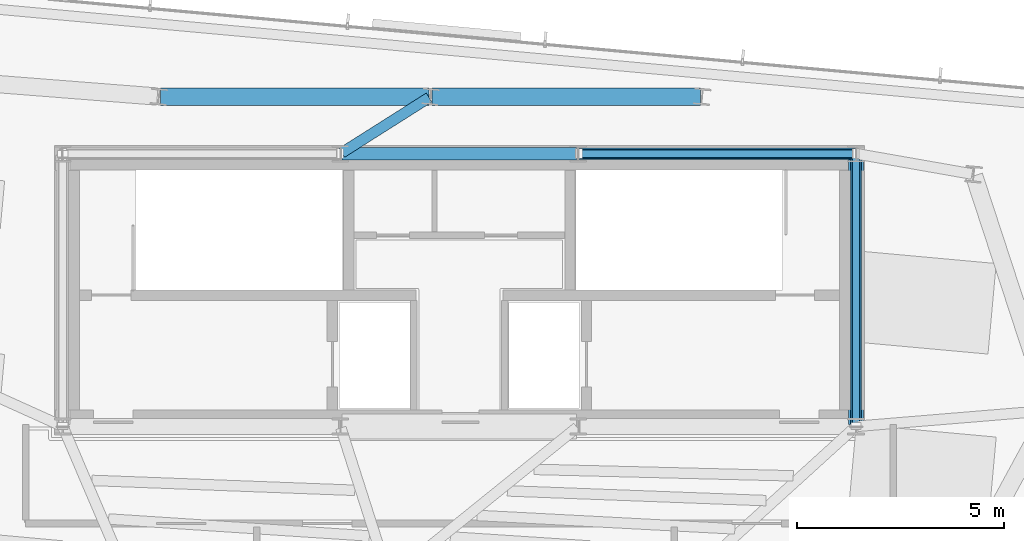
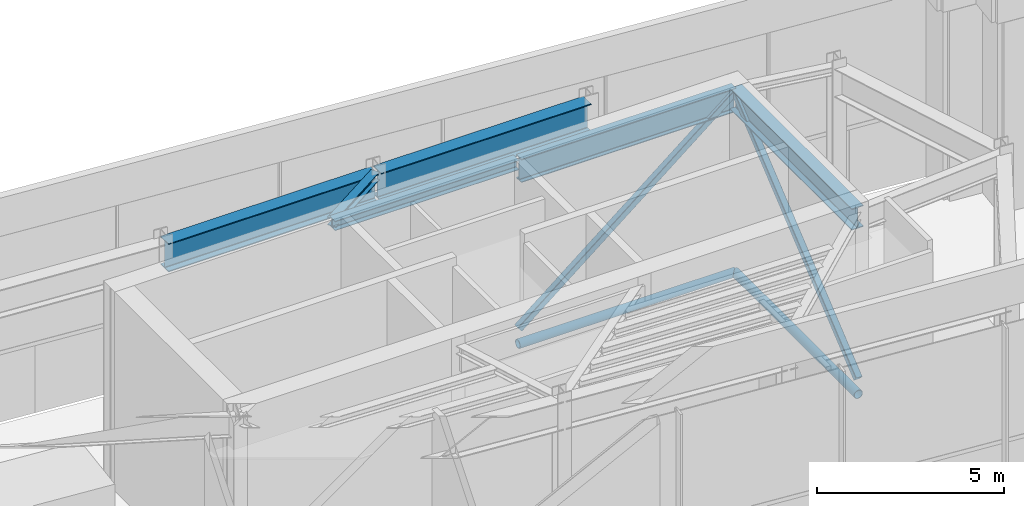
# One storey, part 8 of 18: 6 beams, 4 members.
"""IFC4 building model written with IfcOpenShell, lengths in metres."""

from ifc_helpers import new_model, si_unit, direction, frame, origin, origin_2d, place, context, subcontext, project, spatial, hollow_rectangle, hollow_circle, i_section, extrude, source, transform, mapped, material, material_profile, profile_set, type_object, type_shapes, element, save


model = new_model("IFC4")

# Units and contexts
model_context = context("Model", 3, precision=1e-05, world=origin(), true_north=direction((0.0, 1.0)))
body_context = subcontext(model_context, "Body", "Model", "MODEL_VIEW")
ifc_project = project(units=[si_unit("LENGTHUNIT", "METRE"), si_unit("AREAUNIT", "SQUARE_METRE"), si_unit("VOLUMEUNIT", "CUBIC_METRE"), si_unit("PLANEANGLEUNIT", "RADIAN"), si_unit("MASSUNIT", "GRAM", prefix="KILO")], contexts=[model_context])

# Site, building, storey
site_placement = place(None, origin())
site = spatial("IfcSite", under=ifc_project, at=site_placement, CompositionType="ELEMENT")
building_placement = place(site_placement, origin())
building = spatial("IfcBuilding", under=site, at=building_placement, Name="Astriad Promenade Condominiums", CompositionType="ELEMENT")
storey_placement = place(building_placement, frame((0.0, 0.0, 290.300048828125)))
storey = spatial("IfcBuildingStorey", under=building, at=storey_placement, Name="L80", CompositionType="ELEMENT", Elevation=290.300048828125)

# Beams
ifc_material_1 = material(Name="Steel ASTM A992 Grade 50", Category="steel")
ifc_material_profile_1 = material_profile(ifc_material_1, i_section(OverallWidth=0.267822265625, OverallDepth=0.76953125, WebThickness=0.015625, FlangeThickness=0.025390625, FilletRadius=0.021484375, at=origin_2d()), Name="W30X132")
ifc_profile_set_1 = profile_set([ifc_material_profile_1], Name="Steel ASTM A992 Grade 50")
beam_type_1 = type_object("IfcBeamType", Name="STEEL FLOOR GIRDER W30X132", PredefinedType="BEAM", material=ifc_profile_set_1)
shared_shape_1 = source(origin(), body_context, "Body", "SweptSolid", [
    extrude(i_section(OverallWidth=0.267822265625, OverallDepth=0.76953125, WebThickness=0.015625, FlangeThickness=0.025390625, FilletRadius=0.021484375, at=origin_2d()), origin(), (0.0, 0.0, 1.0), 6.64013671875),
])
type_shapes(beam_type_1, [shared_shape_1])
beam_1_placement = place(storey_placement, frame((38.919921875, 24.0, 5.835205078125), z_axis=(1.0, 0.0, 0.0), x_axis=(0.0, 1.0, 0.0)))
element("IfcBeam", 1, at=beam_1_placement, inside=storey, type_object=beam_type_1, Name="Core Ring Beam CG-N3-L80", PredefinedType="BEAM", context=body_context, shape_type="MappedRepresentation", body=[
    mapped(shared_shape_1, transform((0.0, 0.0, 0.0), scale=1.0)),
])
ifc_material_profile_2 = material_profile(ifc_material_1, i_section(OverallWidth=0.3046875, OverallDepth=0.307861328125, WebThickness=0.010009765625, FlangeThickness=0.015380859375, FilletRadius=0.01513671875, at=origin_2d()), Name="W12X65")
ifc_profile_set_2 = profile_set([ifc_material_profile_2], Name="Steel ASTM A992 Grade 50")
beam_type_2 = type_object("IfcBeamType", Name="STEEL OPENING LINTEL W12X65", PredefinedType="LINTEL", material=ifc_profile_set_2)
shared_shape_2 = source(origin(), body_context, "Body", "SweptSolid", [
    extrude(i_section(OverallWidth=0.3046875, OverallDepth=0.307861328125, WebThickness=0.010009765625, FlangeThickness=0.015380859375, FilletRadius=0.01513671875, at=origin_2d()), origin(), (0.0, 0.0, 1.0), 5.68017578125),
])
type_shapes(beam_type_2, [shared_shape_2])
beam_2_placement = place(storey_placement, frame((33.159912109375, 24.0, 6.066162109375), z_axis=(1.0, 0.0, 0.0), x_axis=(0.0, 1.0, 0.0)))
element("IfcBeam", 2, at=beam_2_placement, inside=storey, type_object=beam_type_2, Name="Core Ring Beam CG-N2-L80", PredefinedType="LINTEL", context=body_context, shape_type="MappedRepresentation", body=[
    mapped(shared_shape_2, transform((0.0, 0.0, 0.0), scale=1.0)),
])
ifc_material_profile_3 = material_profile(ifc_material_1, i_section(OverallWidth=0.35791015625, OverallDepth=0.706298828125, WebThickness=0.018310546875, FlangeThickness=0.0302734375, FilletRadius=0.020263671875, at=origin_2d()), Name="W27X178")
ifc_profile_set_3 = profile_set([ifc_material_profile_3], Name="Steel ASTM A992 Grade 50")
beam_type_3 = type_object("IfcBeamType", Name="STEEL FLOOR GIRDER W27X178", PredefinedType="BEAM", material=ifc_profile_set_3)
shared_shape_3 = source(origin(), body_context, "Body", "SweptSolid", [
    extrude(i_section(OverallWidth=0.35791015625, OverallDepth=0.706298828125, WebThickness=0.018310546875, FlangeThickness=0.0302734375, FilletRadius=0.020263671875, at=origin_2d()), origin(), (0.0, 0.0, 1.0), 6.52001953125),
])
type_shapes(beam_type_3, [shared_shape_3])
beam_3_placement = place(storey_placement, frame((45.60009765625, 17.43994140625, 5.86669921875), z_axis=(0.0, 1.0, 0.0), x_axis=(-1.0, 0.0, 0.0)))
element("IfcBeam", 3, at=beam_3_placement, inside=storey, type_object=beam_type_3, Name="Core Ring Beam CG-E1-L80", PredefinedType="BEAM", context=body_context, shape_type="MappedRepresentation", body=[
    mapped(shared_shape_3, transform((0.0, 0.0, 0.0), scale=1.0)),
])
ifc_material_profile_4 = material_profile(ifc_material_1, i_section(OverallWidth=0.25732421875, OverallDepth=0.26416015625, WebThickness=0.011962890625, FlangeThickness=0.01953125, FilletRadius=0.0126953125, at=origin_2d()), Name="W10X68")
ifc_profile_set_4 = profile_set([ifc_material_profile_4], Name="Steel ASTM A992 Grade 50")
beam_type_4 = type_object("IfcBeamType", Name="STEEL CANOPY BEAM W10X68", PredefinedType="BEAM", material=ifc_profile_set_4)
shared_shape_4 = source(origin(), body_context, "Body", "SweptSolid", [
    extrude(i_section(OverallWidth=0.25732421875, OverallDepth=0.26416015625, WebThickness=0.011962890625, FlangeThickness=0.01953125, FilletRadius=0.0126953125, at=origin_2d()), origin(), (0.0, 0.0, 1.0), 2.50048828125),
])
type_shapes(beam_type_4, [shared_shape_4])
beam_4_placement = place(storey_placement, frame((35.2666015625, 25.358642578125, 6.087890625), z_axis=(-0.844989692299, -0.534782591255, 0.0), x_axis=(0.534782591255, -0.844989692299, 0.0)))
element("IfcBeam", 4, at=beam_4_placement, inside=storey, type_object=beam_type_4, Name="Primary Floor Girder PG-NC-L80", PredefinedType="BEAM", context=body_context, shape_type="MappedRepresentation", body=[
    mapped(shared_shape_4, transform((0.0, 0.0, 0.0), scale=1.0)),
])
ifc_material_profile_5 = material_profile(ifc_material_1, i_section(OverallWidth=0.418212890625, OverallDepth=0.926513671875, WebThickness=0.019287109375, FlangeThickness=0.031982421875, FilletRadius=0.024169921875, at=origin_2d()), Name="W36X231")
ifc_profile_set_5 = profile_set([ifc_material_profile_5], Name="Steel ASTM A992 Grade 50")
beam_type_5 = type_object("IfcBeamType", Name="STEEL CROWN RING BEAM W36X231", PredefinedType="BEAM", material=ifc_profile_set_5)
shared_shape_5 = source(origin(), body_context, "Body", "SweptSolid", [
    extrude(i_section(OverallWidth=0.418212890625, OverallDepth=0.926513671875, WebThickness=0.019287109375, FlangeThickness=0.031982421875, FilletRadius=0.024169921875, at=origin_2d()), origin(), (0.0, 0.0, 1.0), 6.49267578125),
])
type_shapes(beam_type_5, [shared_shape_5])
for number, where, z_axis, x_axis, name in (
    (5, (41.8330078125, 25.3798828125, 5.756591796875), (-1.0, 0.0, 0.0), (0.0, -1.0, 0.0), "Perimeter Spandrel Beam SP-N3-L80"),
    (6, (35.26025390625, 25.3798828125, 5.756591796875), (-1.0, 0.0, 0.0), (0.0, -1.0, 0.0), "Perimeter Spandrel Beam SP-N2-L80"),
):
    element("IfcBeam", number, at=place(storey_placement, frame(where, z_axis=z_axis, x_axis=x_axis)), inside=storey, type_object=beam_type_5, Name=name, PredefinedType="BEAM", context=body_context, shape_type="MappedRepresentation", body=[
        mapped(shared_shape_5, transform((0.0, 0.0, 0.0), scale=1.0)),
    ])

# Members
ifc_material_2 = material(Name="Steel ASTM A500 Grade C", Category="steel")
ifc_material_profile_6 = material_profile(ifc_material_2, hollow_circle(Radius=0.136474609375, WallThickness=0.01171875, at=origin_2d()), Name="HSS273.1X12.7")
ifc_profile_set_6 = profile_set([ifc_material_profile_6], Name="Steel ASTM A500 Grade C")
member_type_1 = type_object("IfcMemberType", Name="HSS SKY GARDEN CANOPY STRUT D273", PredefinedType="STRUT", material=ifc_profile_set_6)
shared_shape_6 = source(origin(), body_context, "Body", "SweptSolid", [
    extrude(hollow_circle(Radius=0.136474609375, WallThickness=0.01171875, at=origin_2d()), origin(), (0.0, 0.0, 1.0), 6.7099609375),
])
member_1_placement = place(storey_placement, frame((38.885009765625, 24.0, 0.119873046875), z_axis=(1.0, 0.0, 0.0), x_axis=(0.0, 1.0, 0.0)))
element("IfcMember", 7, at=member_1_placement, inside=storey, type_object=member_type_1, Name="Crown Ring Interior Chord HCHORD-L80-02", PredefinedType="STRUT", context=body_context, shape_type="MappedRepresentation", body=[
    mapped(shared_shape_6, transform((0.0, 0.0, 0.0), scale=1.0)),
])
ifc_material_profile_7 = material_profile(ifc_material_2, hollow_rectangle(XDim=0.203125, YDim=0.203125, WallThickness=0.01171875, InnerFilletRadius=0.01171875, OuterFilletRadius=0.023681640625, at=origin_2d()), Name="HSS203X203X12.7")
ifc_profile_set_7 = profile_set([ifc_material_profile_7], Name="Steel ASTM A500 Grade C")
member_type_2 = type_object("IfcMemberType", Name="HSS CANOPY OUTRIGGER STRUT 203X203", PredefinedType="STRUT", material=ifc_profile_set_7)
shared_shape_7 = source(origin(), body_context, "Body", "SweptSolid", [
    extrude(hollow_rectangle(XDim=0.203125, YDim=0.203125, WallThickness=0.01171875, InnerFilletRadius=0.01171875, OuterFilletRadius=0.023681640625, at=origin_2d()), origin(), (0.0, 0.0, 1.0), 8.602294921875),
])
member_2_placement = place(storey_placement, frame((38.8994140625, 24.0, 0.6357421875), z_axis=(0.776681444214, 0.0, 0.629893589596), x_axis=(0.0, 1.0, 0.0)))
element("IfcMember", 8, at=member_2_placement, inside=storey, type_object=member_type_2, Name="Crown Ring Interior Brace HBRACE-L80-02", PredefinedType="STRUT", context=body_context, shape_type="MappedRepresentation", body=[
    mapped(shared_shape_7, transform((0.0, 0.0, 0.0), scale=1.0)),
])
shared_shape_8 = source(origin(), body_context, "Body", "SweptSolid", [
    extrude(hollow_circle(Radius=0.136474609375, WallThickness=0.01171875, at=origin_2d()), origin(), (0.0, 0.0, 1.0), 6.590087890625),
])
type_shapes(member_type_1, [shared_shape_6, shared_shape_8])
member_3_placement = place(storey_placement, frame((45.60009765625, 17.405029296875, 0.119873046875), z_axis=(0.0, 1.0, 0.0), x_axis=(-1.0, 0.0, 0.0)))
element("IfcMember", 9, at=member_3_placement, inside=storey, type_object=member_type_1, Name="Crown Ring Interior Chord HCHORD-L80-04", PredefinedType="STRUT", context=body_context, shape_type="MappedRepresentation", body=[
    mapped(shared_shape_8, transform((0.0, 0.0, 0.0), scale=1.0)),
])
shared_shape_9 = source(origin(), body_context, "Body", "SweptSolid", [
    extrude(hollow_rectangle(XDim=0.203125, YDim=0.203125, WallThickness=0.01171875, InnerFilletRadius=0.01171875, OuterFilletRadius=0.023681640625, at=origin_2d()), origin(), (0.0, 0.0, 1.0), 8.509521484375),
])
type_shapes(member_type_2, [shared_shape_7, shared_shape_9])
member_4_placement = place(storey_placement, frame((45.60009765625, 17.419189453125, 0.6357421875), z_axis=(0.0, 0.771087298108, 0.636729439162), x_axis=(-1.0, 0.0, 0.0)))
element("IfcMember", 10, at=member_4_placement, inside=storey, type_object=member_type_2, Name="Crown Ring Interior Brace HBRACE-L80-04", PredefinedType="STRUT", context=body_context, shape_type="MappedRepresentation", body=[
    mapped(shared_shape_9, transform((0.0, 0.0, 0.0), scale=1.0)),
])

save(model, "model.ifc")
